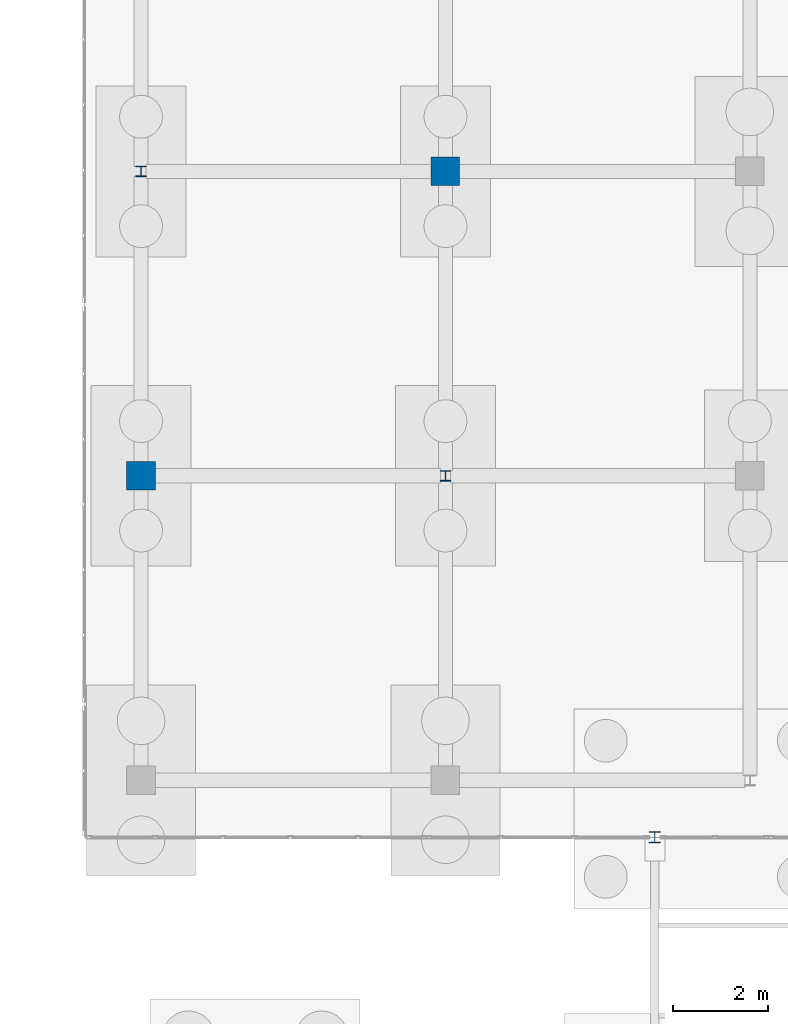
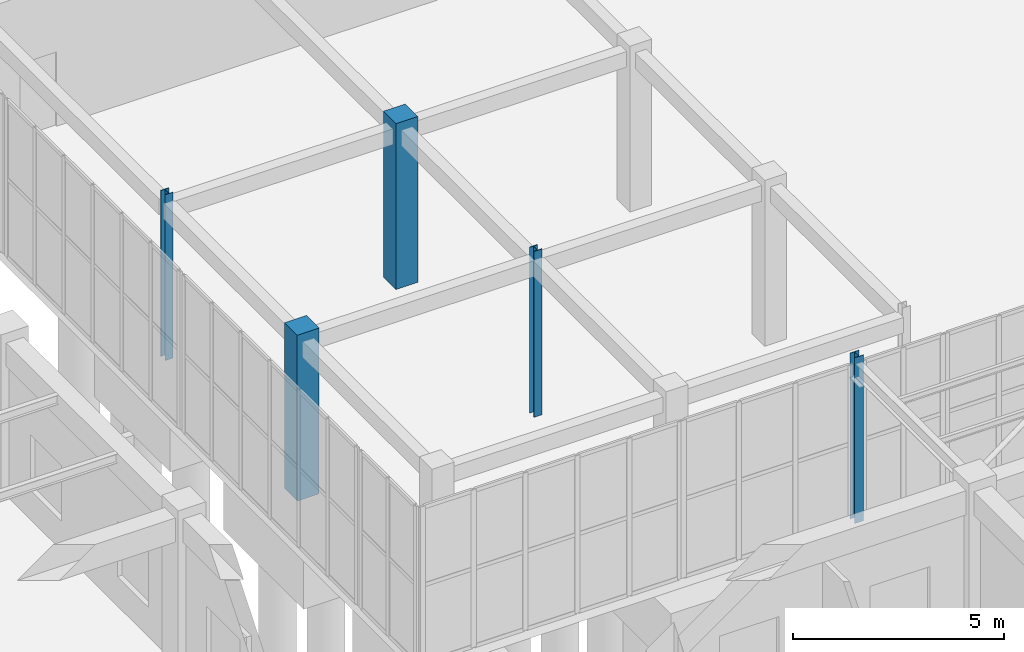
# One storey, part 22 of 192: 5 columns.
"""IFC4 building model written with IfcOpenShell, lengths in metres."""

from ifc_helpers import new_model, si_unit, direction, frame, origin, origin_2d, place, context, subcontext, project, spatial, rectangle, i_section, extrude, material, material_profile, profile_set, type_object, element, save


model = new_model("IFC4")

# Units and contexts
model_context = context("Model", 3, precision=1e-05, world=origin(), true_north=direction((0.0, 1.0)))
body_context = subcontext(model_context, "Body", "Model", "MODEL_VIEW")
ifc_project = project(units=[si_unit("LENGTHUNIT", "METRE"), si_unit("AREAUNIT", "SQUARE_METRE"), si_unit("VOLUMEUNIT", "CUBIC_METRE"), si_unit("PLANEANGLEUNIT", "RADIAN"), si_unit("MASSUNIT", "GRAM", prefix="KILO")], contexts=[model_context])

# Site, building, storey
site_placement = place(None, origin())
site = spatial("IfcSite", under=ifc_project, at=site_placement, CompositionType="ELEMENT")
building_placement = place(site_placement, origin())
building = spatial("IfcBuilding", under=site, at=building_placement, Name="Trelvath General Hospital", CompositionType="ELEMENT")
storey_placement = place(building_placement, origin())
storey = spatial("IfcBuildingStorey", under=building, at=storey_placement, Name="L00", CompositionType="ELEMENT", Elevation=0.0)

# Columns
ifc_material_1 = material(Name="Steel S355", Category="steel")
ifc_material_profile_1 = material_profile(ifc_material_1, i_section(OverallWidth=0.239990234375, OverallDepth=0.22998046875, WebThickness=0.007568359375, FlangeThickness=0.011962890625, at=origin_2d()), Name="HEA240")
ifc_profile_set_1 = profile_set([ifc_material_profile_1], Name="Steel S355")
column_type_1 = type_object("IfcColumnType", Name="BridgeColumn HEA240", PredefinedType="COLUMN", material=ifc_profile_set_1)
column_placement = place(storey_placement, frame((58.800048828125, 30.800048828125, 0.0), z_axis=(0.0, 0.0, 1.0), x_axis=(1.0, 0.0, 0.0)))
element("IfcColumn", 1, at=column_placement, inside=storey, type_object=column_type_1, Name="Bridge Portal Column BC-01 L00", PredefinedType="COLUMN", context=body_context, shape_type="SweptSolid", body=[
    extrude(i_section(OverallWidth=0.239990234375, OverallDepth=0.22998046875, WebThickness=0.007568359375, FlangeThickness=0.011962890625, at=origin_2d()), origin(), (0.0, 0.0, 1.0), 4.800048828125),
])
ifc_material_2 = material(Name="Concrete C40/50", Category="concrete")
ifc_material_profile_2 = material_profile(ifc_material_2, rectangle(XDim=0.60009765625, YDim=0.60009765625, at=origin_2d()), Name="RC600x600")
ifc_profile_set_2 = profile_set([ifc_material_profile_2], Name="Concrete C40/50")
column_type_2 = type_object("IfcColumnType", Name="Column RC600", PredefinedType="COLUMN", material=ifc_profile_set_2)
for number, where, z_axis, x_axis, name in (
    (2, (48.0, 38.39990234375, 0.0), (0.0, 0.0, 1.0), (1.0, 0.0, 0.0), "Cube Interior Column CC-W23 L00"),
    (3, (54.39990234375, 44.800048828125, 0.0), (0.0, 0.0, 1.0), (1.0, 0.0, 0.0), "Cube Interior Column CC-W31 L00"),
):
    element("IfcColumn", number, at=place(storey_placement, frame(where, z_axis=z_axis, x_axis=x_axis)), inside=storey, type_object=column_type_2, Name=name, PredefinedType="COLUMN", context=body_context, shape_type="SweptSolid", body=[
        extrude(rectangle(XDim=0.60009765625, YDim=0.60009765625, at=origin_2d()), origin(), (0.0, 0.0, 1.0), 4.800048828125),
    ])
ifc_material_3 = material(Name="Steel S355", Category="steel")
ifc_material_profile_3 = material_profile(ifc_material_3, i_section(OverallWidth=0.219970703125, OverallDepth=0.219970703125, WebThickness=0.009521484375, FlangeThickness=0.01611328125, at=origin_2d()), Name="HEB220")
ifc_profile_set_3 = profile_set([ifc_material_profile_3], Name="Steel S355")
column_type_3 = type_object("IfcColumnType", Name="CubePost HEB220", PredefinedType="COLUMN", material=ifc_profile_set_3)
for number, where, z_axis, x_axis, name in (
    (4, (48.0, 44.800048828125, 0.0), (0.0, 0.0, 1.0), (1.0, 0.0, 0.0), "Cube Interior Column CC-W24 L00"),
    (5, (54.39990234375, 38.39990234375, 0.0), (0.0, 0.0, 1.0), (1.0, 0.0, 0.0), "Cube Interior Column CC-W30 L00"),
):
    element("IfcColumn", number, at=place(storey_placement, frame(where, z_axis=z_axis, x_axis=x_axis)), inside=storey, type_object=column_type_3, Name=name, PredefinedType="COLUMN", context=body_context, shape_type="SweptSolid", body=[
        extrude(i_section(OverallWidth=0.219970703125, OverallDepth=0.219970703125, WebThickness=0.009521484375, FlangeThickness=0.01611328125, at=origin_2d()), origin(), (0.0, 0.0, 1.0), 4.800048828125),
    ])

save(model, "model.ifc")
